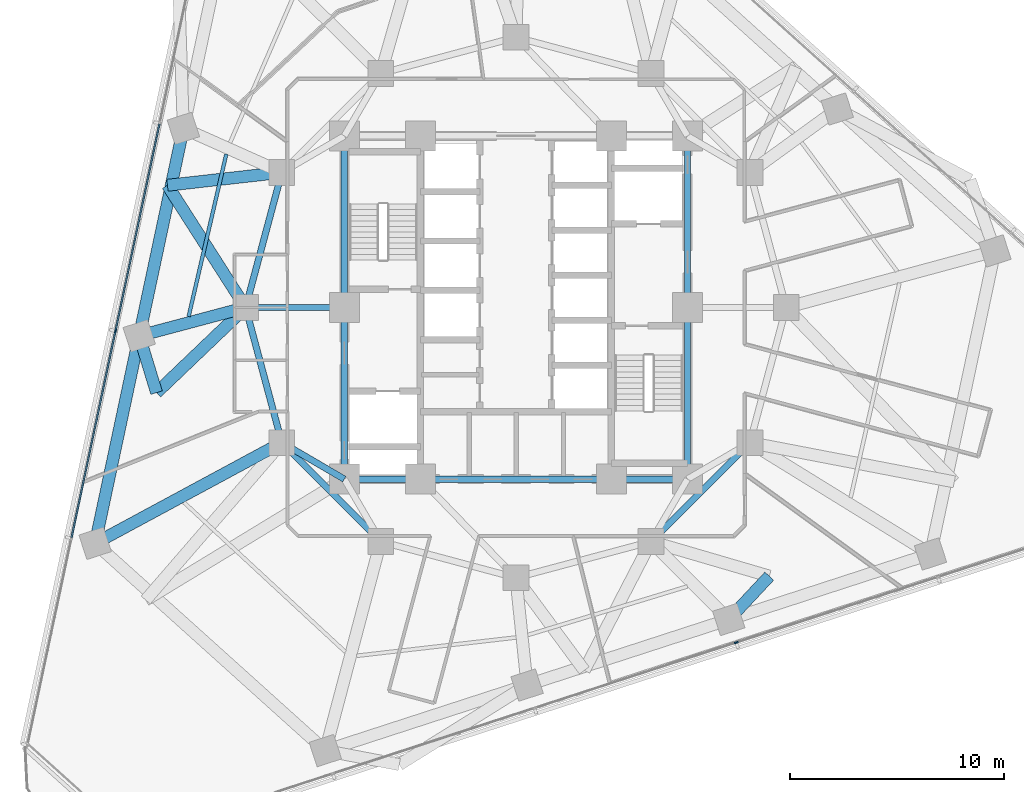
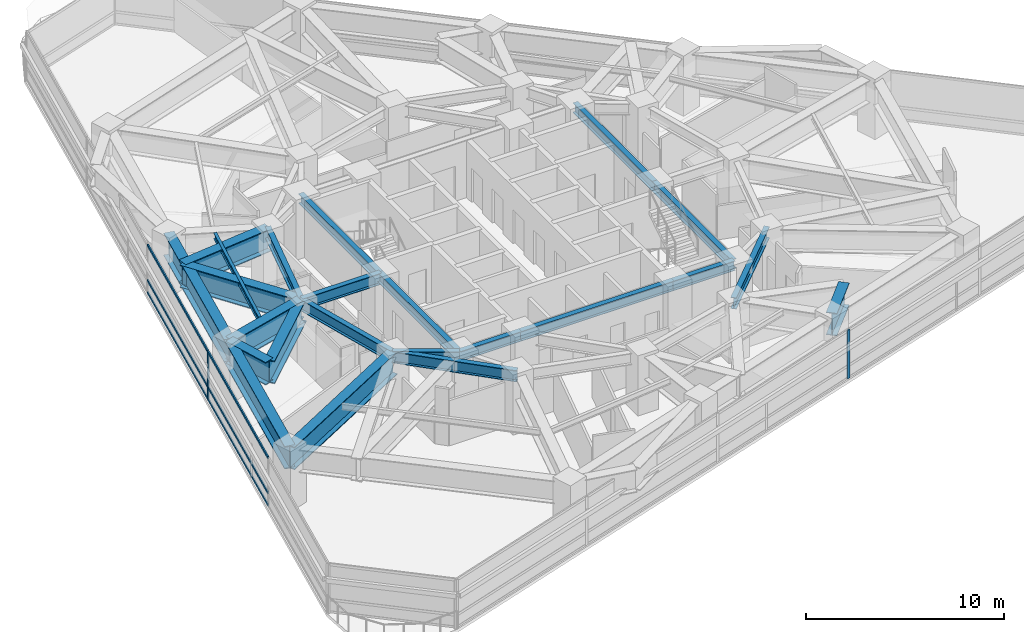
# One storey, part 3 of 14: 23 beams, 8 members, 2 elements without a shape of their own.
"""IFC4 building model written with IfcOpenShell, lengths in metres."""

from ifc_helpers import new_model, si_unit, direction, frame, origin, origin_2d, place, context, subcontext, project, spatial, rectangle, i_section, extrude, material, layer, layer_set, material_profile, profile_set, type_object, element, aggregate, save


model = new_model("IFC4")

# Units and contexts
model_context = context("Model", 3, precision=1e-05, world=origin(), true_north=direction((0.0, 1.0)))
body_context = subcontext(model_context, "Body", "Model", "MODEL_VIEW")
ifc_project = project(units=[si_unit("LENGTHUNIT", "METRE"), si_unit("AREAUNIT", "SQUARE_METRE"), si_unit("VOLUMEUNIT", "CUBIC_METRE"), si_unit("PLANEANGLEUNIT", "RADIAN"), si_unit("MASSUNIT", "GRAM", prefix="KILO")], contexts=[model_context])

# Site, building, storey
site_placement = place(None, origin())
site = spatial("IfcSite", under=ifc_project, at=site_placement, CompositionType="ELEMENT")
building_placement = place(site_placement, origin())
building = spatial("IfcBuilding", under=site, at=building_placement, Name="Terralouvre Media Tower", CompositionType="ELEMENT")
storey_placement = place(building_placement, frame((0.0, 0.0, 116.199951171875)))
storey = spatial("IfcBuildingStorey", under=building, at=storey_placement, Name="L29", CompositionType="ELEMENT", Elevation=116.199951171875)

# Beam
ifc_material_1 = material(Name="Structural steel S355J2", Category="steel")
ifc_material_profile_1 = material_profile(ifc_material_1, i_section(OverallWidth=0.169921875, OverallDepth=0.360107421875, WebThickness=0.008056640625, FlangeThickness=0.0126953125, at=origin_2d()), Name="IPE 360")
ifc_profile_set_1 = profile_set([ifc_material_profile_1], Name="Structural steel S355J2")
beam_type_1 = type_object("IfcBeamType", Name="Composite Floor Joist J-IPE360 (IPE 360)", PredefinedType="JOIST", material=ifc_profile_set_1)
beam_1_placement = place(storey_placement, frame((-13.501953125, 7.151611328125, 3.320068359375), z_axis=(-0.22584123423, -0.974164122169, 0.0), x_axis=(0.974164122169, -0.22584123423, 0.0)))
element("IfcBeam", 1, at=beam_1_placement, inside=storey, type_object=beam_type_1, Name="L29 Framing Beam JT-L29-12", PredefinedType="JOIST", context=body_context, shape_type="SweptSolid", body=[
    extrude(i_section(OverallWidth=0.169921875, OverallDepth=0.360107421875, WebThickness=0.008056640625, FlangeThickness=0.0126953125, at=origin_2d()), origin(), (0.0, 0.0, 1.0), 7.772705078125),
])

# Curtain wall, members
ifc_material_2 = material(Name="Low-iron laminated double glazing with solar-control coating", Category="glass")
ifc_layer = layer(ifc_material_2, 0.1650390625, Name="Lower Media Tower Unitised Curtain Wall CW-02")
ifc_layer_set = layer_set([ifc_layer], Name="Low-iron laminated double glazing with solar-control coating")
curtain_wall_type = type_object("IfcCurtainWallType", Name="Lower Media Tower Unitised Curtain Wall CW-02", PredefinedType="NOTDEFINED", material=ifc_layer_set)
curtain_wall_1_placement = place(storey_placement, origin())
curtain_wall_1 = element("IfcCurtainWall", 2, at=curtain_wall_1_placement, inside=storey, type_object=curtain_wall_type, Name="L29 Facade Curtain Wall F2", PredefinedType="NOTDEFINED")
ifc_material_3 = material(Name="Anodised extruded aluminium 6063-T6", Category="aluminium")
ifc_material_profile_2 = material_profile(ifc_material_3, rectangle(XDim=0.074951171875, YDim=0.14990234375, at=origin_2d()), Name="ALU 75x150")
ifc_profile_set_2 = profile_set([ifc_material_profile_2], Name="Anodised extruded aluminium 6063-T6")
member_type_1 = type_object("IfcMemberType", Name="Curtain-Wall Horizontal Transom TR-150", PredefinedType="USERDEFINED", material=ifc_profile_set_2)
member_1_placement = place(storey_placement, frame((-16.617919921875, 8.54833984375, 0.03759765625), z_axis=(-0.207914695346, -0.978146962097, 0.0), x_axis=(0.978146962097, -0.207914695346, 0.0)))
member_1 = element("IfcMember", 3, at=member_1_placement, type_object=member_type_1, Name="CW-02 transom 3.1", ObjectType="TRANSOM", PredefinedType="USERDEFINED", context=body_context, shape_type="SweptSolid", body=[
    extrude(rectangle(XDim=0.074951171875, YDim=0.14990234375, at=origin_2d()), origin(), (0.0, 0.0, 1.0), 9.81298828125),
])
member_2_placement = place(storey_placement, frame((-16.617919921875, 8.54833984375, 0.800048828125), z_axis=(-0.207914695346, -0.978146962097, 0.0), x_axis=(0.978146962097, -0.207914695346, 0.0)))
member_2 = element("IfcMember", 4, at=member_2_placement, type_object=member_type_1, Name="CW-02 transom 3.2", ObjectType="TRANSOM", PredefinedType="USERDEFINED", context=body_context, shape_type="SweptSolid", body=[
    extrude(rectangle(XDim=0.074951171875, YDim=0.14990234375, at=origin_2d()), origin(), (0.0, 0.0, 1.0), 9.81298828125),
])
member_3_placement = place(storey_placement, frame((-16.617919921875, 8.54833984375, 2.962646484375), z_axis=(-0.207914695346, -0.978146962097, 0.0), x_axis=(0.978146962097, -0.207914695346, 0.0)))
member_3 = element("IfcMember", 5, at=member_3_placement, type_object=member_type_1, Name="CW-02 transom 3.3", ObjectType="TRANSOM", PredefinedType="USERDEFINED", context=body_context, shape_type="SweptSolid", body=[
    extrude(rectangle(XDim=0.074951171875, YDim=0.14990234375, at=origin_2d()), origin(), (0.0, 0.0, 1.0), 9.81298828125),
])
member_4_placement = place(storey_placement, frame((-18.673828125, -1.12353515625, 0.03759765625), z_axis=(-0.207914695346, -0.978146962097, 0.0), x_axis=(0.978146962097, -0.207914695346, 0.0)))
member_4 = element("IfcMember", 6, at=member_4_placement, type_object=member_type_1, Name="CW-02 transom 4.1", ObjectType="TRANSOM", PredefinedType="USERDEFINED", context=body_context, shape_type="SweptSolid", body=[
    extrude(rectangle(XDim=0.074951171875, YDim=0.14990234375, at=origin_2d()), origin(), (0.0, 0.0, 1.0), 9.81298828125),
])
member_5_placement = place(storey_placement, frame((-18.673828125, -1.12353515625, 0.800048828125), z_axis=(-0.207914695346, -0.978146962097, 0.0), x_axis=(0.978146962097, -0.207914695346, 0.0)))
member_5 = element("IfcMember", 7, at=member_5_placement, type_object=member_type_1, Name="CW-02 transom 4.2", ObjectType="TRANSOM", PredefinedType="USERDEFINED", context=body_context, shape_type="SweptSolid", body=[
    extrude(rectangle(XDim=0.074951171875, YDim=0.14990234375, at=origin_2d()), origin(), (0.0, 0.0, 1.0), 9.81298828125),
])
member_6_placement = place(storey_placement, frame((-18.673828125, -1.12353515625, 2.962646484375), z_axis=(-0.207914695346, -0.978146962097, 0.0), x_axis=(0.978146962097, -0.207914695346, 0.0)))
member_6 = element("IfcMember", 8, at=member_6_placement, type_object=member_type_1, Name="CW-02 transom 4.3", ObjectType="TRANSOM", PredefinedType="USERDEFINED", context=body_context, shape_type="SweptSolid", body=[
    extrude(rectangle(XDim=0.074951171875, YDim=0.14990234375, at=origin_2d()), origin(), (0.0, 0.0, 1.0), 9.81298828125),
])

# Curtain wall, member
curtain_wall_2_placement = place(storey_placement, origin())
curtain_wall_2 = element("IfcCurtainWall", 9, at=curtain_wall_2_placement, inside=storey, type_object=curtain_wall_type, Name="L29 Facade Curtain Wall F0", PredefinedType="NOTDEFINED")
ifc_material_4 = material(Name="Anodised extruded aluminium 6063-T6", Category="aluminium")
ifc_material_profile_3 = material_profile(ifc_material_4, rectangle(XDim=0.074951171875, YDim=0.179931640625, at=origin_2d()), Name="ALU 75x180")
ifc_profile_set_3 = profile_set([ifc_material_profile_3], Name="Anodised extruded aluminium 6063-T6")
member_type_2 = type_object("IfcMemberType", Name="Curtain-Wall Vertical Mullion ML-180", PredefinedType="MULLION", material=ifc_profile_set_3)
member_7_placement = place(storey_placement, frame((10.274169921875, -15.621826171875, 0.0), z_axis=(0.0, 0.0, 1.0), x_axis=(-0.309017015439, 0.951056509451, 0.0)))
member_7 = element("IfcMember", 10, at=member_7_placement, type_object=member_type_2, Name="CW-02 mullion 4", PredefinedType="MULLION", context=body_context, shape_type="SweptSolid", body=[
    extrude(rectangle(XDim=0.074951171875, YDim=0.179931640625, at=origin_2d()), origin(), (0.0, 0.0, 1.0), 3.0),
])
aggregate(curtain_wall_2, [member_7])

# Member
member_8_placement = place(storey_placement, frame((-18.666015625, -1.0869140625, 0.0), z_axis=(0.0, 0.0, 1.0), x_axis=(0.978147610709, -0.207911643887, 0.0)))
member_8 = element("IfcMember", 11, at=member_8_placement, type_object=member_type_2, Name="CW-02 mullion 4", PredefinedType="MULLION", context=body_context, shape_type="SweptSolid", body=[
    extrude(rectangle(XDim=0.074951171875, YDim=0.179931640625, at=origin_2d()), origin(), (0.0, 0.0, 1.0), 3.0),
])

aggregate(curtain_wall_1, [member_8, member_1, member_2, member_3, member_4, member_5, member_6])

# Beams
ifc_material_5 = material(Name="Structural steel S460M", Category="steel")
ifc_material_profile_4 = material_profile(ifc_material_5, i_section(OverallWidth=0.300048828125, OverallDepth=0.60009765625, WebThickness=0.015380859375, FlangeThickness=0.030029296875, at=origin_2d()), Name="HEB 600")
ifc_profile_set_4 = profile_set([ifc_material_profile_4], Name="Structural steel S460M")
beam_type_2 = type_object("IfcBeamType", Name="Primary Floor Girder B-HEB600 (HEB 600)", PredefinedType="BEAM", material=ifc_profile_set_4)
beam_2_placement = place(storey_placement, frame((-8.0, -8.0, 3.199951171875), z_axis=(1.0, 0.0, 0.0), x_axis=(0.0, 1.0, 0.0)))
element("IfcBeam", 12, at=beam_2_placement, inside=storey, type_object=beam_type_2, Name="L29 Framing Beam BM-L29-CPR01", PredefinedType="BEAM", context=body_context, shape_type="SweptSolid", body=[
    extrude(i_section(OverallWidth=0.300048828125, OverallDepth=0.60009765625, WebThickness=0.015380859375, FlangeThickness=0.030029296875, at=origin_2d()), origin(), (0.0, 0.0, 1.0), 3.550048828125),
])
beam_3_placement = place(storey_placement, frame((-4.449951171875, -8.0, 3.199951171875), z_axis=(1.0, 0.0, 0.0), x_axis=(0.0, 1.0, 0.0)))
element("IfcBeam", 13, at=beam_3_placement, inside=storey, type_object=beam_type_2, Name="L29 Framing Beam BM-L29-CPR02", PredefinedType="BEAM", context=body_context, shape_type="SweptSolid", body=[
    extrude(i_section(OverallWidth=0.300048828125, OverallDepth=0.60009765625, WebThickness=0.015380859375, FlangeThickness=0.030029296875, at=origin_2d()), origin(), (0.0, 0.0, 1.0), 8.89990234375),
])
beam_4_placement = place(storey_placement, frame((4.449951171875, -8.0, 3.199951171875), z_axis=(1.0, 0.0, 0.0), x_axis=(0.0, 1.0, 0.0)))
element("IfcBeam", 14, at=beam_4_placement, inside=storey, type_object=beam_type_2, Name="L29 Framing Beam BM-L29-CPR03", PredefinedType="BEAM", context=body_context, shape_type="SweptSolid", body=[
    extrude(i_section(OverallWidth=0.300048828125, OverallDepth=0.60009765625, WebThickness=0.015380859375, FlangeThickness=0.030029296875, at=origin_2d()), origin(), (0.0, 0.0, 1.0), 3.550048828125),
])
for number, where, z_axis, x_axis, name in (
    (15, (8.0, -8.0, 3.199951171875), (0.0, 1.0, 0.0), (-1.0, 0.0, 0.0), "L29 Framing Beam BM-L29-CPR04"),
    (16, (8.0, 0.0, 3.199951171875), (0.0, 1.0, 0.0), (-1.0, 0.0, 0.0), "L29 Framing Beam BM-L29-CPR05"),
    (17, (-8.0, 8.0, 3.199951171875), (0.0, -1.0, 0.0), (1.0, 0.0, 0.0), "L29 Framing Beam BM-L29-CPR09"),
    (18, (-8.0, 0.0, 3.199951171875), (0.0, -1.0, 0.0), (1.0, 0.0, 0.0), "L29 Framing Beam BM-L29-CPR10"),
):
    element("IfcBeam", number, at=place(storey_placement, frame(where, z_axis=z_axis, x_axis=x_axis)), inside=storey, type_object=beam_type_2, Name=name, PredefinedType="BEAM", context=body_context, shape_type="SweptSolid", body=[
        extrude(i_section(OverallWidth=0.300048828125, OverallDepth=0.60009765625, WebThickness=0.015380859375, FlangeThickness=0.030029296875, at=origin_2d()), origin(), (0.0, 0.0, 1.0), 8.0),
    ])
ifc_material_6 = material(Name="Structural steel S460M", Category="steel")
ifc_material_profile_5 = material_profile(ifc_material_6, i_section(OverallWidth=0.300048828125, OverallDepth=0.699951171875, WebThickness=0.01708984375, FlangeThickness=0.031982421875, at=origin_2d()), Name="HEB 700")
ifc_profile_set_5 = profile_set([ifc_material_profile_5], Name="Structural steel S460M")
beam_type_3 = type_object("IfcBeamType", Name="Primary Floor Girder B-HEB700 (HEB 700)", PredefinedType="BEAM", material=ifc_profile_set_5)
for number, where, z_axis, x_axis, name in (
    (19, (-10.911865234375, -6.300048828125, 3.150146484375), (0.707106781187, -0.707106781187, 0.0), (0.707106781187, 0.707106781187, 0.0), "L29 Framing Beam BM-L29-MR01"),
    (20, (6.300048828125, -10.911865234375, 3.150146484375), (0.707106781187, 0.707106781187, 0.0), (-0.707106781187, 0.707106781187, 0.0), "L29 Framing Beam BM-L29-MR04"),
):
    element("IfcBeam", number, at=place(storey_placement, frame(where, z_axis=z_axis, x_axis=x_axis)), inside=storey, type_object=beam_type_3, Name=name, PredefinedType="BEAM", context=body_context, shape_type="SweptSolid", body=[
        extrude(i_section(OverallWidth=0.300048828125, OverallDepth=0.699951171875, WebThickness=0.01708984375, FlangeThickness=0.031982421875, at=origin_2d()), origin(), (0.0, 0.0, 1.0), 6.52197265625),
    ])
for number, where, z_axis, x_axis, name in (
    (21, (-10.911865234375, 6.300048828125, 3.150146484375), (-0.258838989821, -0.965920481897, 0.0), (0.965920481897, -0.258838989821, 0.0), "L29 Framing Beam BM-L29-MR11"),
    (22, (-12.60009765625, 0.0, 3.150146484375), (0.258838989821, -0.965920481897, 0.0), (0.965920481897, 0.258838989821, 0.0), "L29 Framing Beam BM-L29-MR12"),
):
    element("IfcBeam", number, at=place(storey_placement, frame(where, z_axis=z_axis, x_axis=x_axis)), inside=storey, type_object=beam_type_3, Name=name, PredefinedType="BEAM", context=body_context, shape_type="SweptSolid", body=[
        extrude(i_section(OverallWidth=0.300048828125, OverallDepth=0.699951171875, WebThickness=0.01708984375, FlangeThickness=0.031982421875, at=origin_2d()), origin(), (0.0, 0.0, 1.0), 6.522216796875),
    ])
beam_5_placement = place(storey_placement, frame((-8.0, -8.0, 3.150146484375), z_axis=(-0.863602894532, 0.504172629717, 0.0), x_axis=(-0.504172629717, -0.863602894532, 0.0)))
element("IfcBeam", 23, at=beam_5_placement, inside=storey, type_object=beam_type_3, Name="L29 Framing Beam BM-L29-CM01", PredefinedType="BEAM", context=body_context, shape_type="SweptSolid", body=[
    extrude(i_section(OverallWidth=0.300048828125, OverallDepth=0.699951171875, WebThickness=0.01708984375, FlangeThickness=0.031982421875, at=origin_2d()), origin(), (0.0, 0.0, 1.0), 3.371826171875),
])
beam_6_placement = place(storey_placement, frame((-8.0, 0.0, 3.150146484375), z_axis=(-1.0, 0.0, 0.0), x_axis=(0.0, -1.0, 0.0)))
element("IfcBeam", 24, at=beam_6_placement, inside=storey, type_object=beam_type_3, Name="L29 Framing Beam BM-L29-CM12", PredefinedType="BEAM", context=body_context, shape_type="SweptSolid", body=[
    extrude(i_section(OverallWidth=0.300048828125, OverallDepth=0.699951171875, WebThickness=0.01708984375, FlangeThickness=0.031982421875, at=origin_2d()), origin(), (0.0, 0.0, 1.0), 4.60009765625),
])
ifc_material_7 = material(Name="Structural steel S460M", Category="steel")
ifc_material_profile_6 = material_profile(ifc_material_7, i_section(OverallWidth=0.56005859375, OverallDepth=1.39990234375, WebThickness=0.031982421875, FlangeThickness=0.050048828125, at=origin_2d()), Name="TG 1400x560")
ifc_profile_set_6 = profile_set([ifc_material_profile_6], Name="Structural steel S460M")
beam_type_4 = type_object("IfcBeamType", Name="Welded Transfer Girder TG-1400 (TG 1400x560)", PredefinedType="USERDEFINED", material=ifc_profile_set_6)
for number, where, z_axis, x_axis, name in (
    (25, (-17.560791015625, -1.32177734375, 2.800048828125), (-0.207896554112, -0.978150818017, 0.0), (0.978150818017, -0.207896554112, 0.0), "L29 Framing Beam BM-L29-PR01"),
    (26, (-15.5048828125, 8.35009765625, 2.800048828125), (-0.207920177572, -0.97814579678, 0.0), (0.97814579678, -0.207920177572, 0.0), "L29 Framing Beam BM-L29-PR12"),
):
    element("IfcBeam", number, at=place(storey_placement, frame(where, z_axis=z_axis, x_axis=x_axis)), inside=storey, type_object=beam_type_4, Name=name, ObjectType="TRANSFER GIRDER", PredefinedType="USERDEFINED", context=body_context, shape_type="SweptSolid", body=[
        extrude(i_section(OverallWidth=0.56005859375, OverallDepth=1.39990234375, WebThickness=0.031982421875, FlangeThickness=0.050048828125, at=origin_2d()), origin(), (0.0, 0.0, 1.0), 9.887939453125),
    ])
beam_7_placement = place(storey_placement, frame((-12.60009765625, 0.0, 2.800048828125), z_axis=(-0.966287014212, -0.257467291449, 0.0), x_axis=(0.257467291449, -0.966287014212, 0.0)))
element("IfcBeam", 27, at=beam_7_placement, inside=storey, type_object=beam_type_4, Name="L29 Framing Beam BM-L29-RD01", ObjectType="TRANSFER GIRDER", PredefinedType="USERDEFINED", context=body_context, shape_type="SweptSolid", body=[
    extrude(i_section(OverallWidth=0.56005859375, OverallDepth=1.39990234375, WebThickness=0.031982421875, FlangeThickness=0.050048828125, at=origin_2d()), origin(), (0.0, 0.0, 1.0), 5.1337890625),
])
beam_8_placement = place(storey_placement, frame((-10.911865234375, -6.300048828125, 2.800048828125), z_axis=(-0.880195882447, -0.47461058619, 0.0), x_axis=(0.47461058619, -0.880195882447, 0.0)))
element("IfcBeam", 28, at=beam_8_placement, inside=storey, type_object=beam_type_4, Name="L29 Framing Beam BM-L29-RD02", ObjectType="TRANSFER GIRDER", PredefinedType="USERDEFINED", context=body_context, shape_type="SweptSolid", body=[
    extrude(i_section(OverallWidth=0.56005859375, OverallDepth=1.39990234375, WebThickness=0.031982421875, FlangeThickness=0.050048828125, at=origin_2d()), origin(), (0.0, 0.0, 1.0), 9.889404296875),
])
beam_9_placement = place(storey_placement, frame((11.813232421875, -12.523681640625, 2.800048828125), z_axis=(-0.682249100737, -0.731119801772, 0.0), x_axis=(0.731119801772, -0.682249100737, 0.0)))
element("IfcBeam", 29, at=beam_9_placement, inside=storey, type_object=beam_type_4, Name="L29 Framing Beam BM-L29-TR03S1", ObjectType="TRANSFER GIRDER", PredefinedType="USERDEFINED", context=body_context, shape_type="SweptSolid", body=[
    extrude(i_section(OverallWidth=0.56005859375, OverallDepth=1.39990234375, WebThickness=0.031982421875, FlangeThickness=0.050048828125, at=origin_2d()), origin(), (0.0, 0.0, 1.0), 2.767578125),
])
beam_10_placement = place(storey_placement, frame((-16.245849609375, 5.697998046875, 2.800048828125), z_axis=(0.993690322099, 0.112158565283, 0.0), x_axis=(-0.112158565283, 0.993690322099, 0.0)))
element("IfcBeam", 30, at=beam_10_placement, inside=storey, type_object=beam_type_4, Name="L29 Framing Beam BM-L29-TR10S1", ObjectType="TRANSFER GIRDER", PredefinedType="USERDEFINED", context=body_context, shape_type="SweptSolid", body=[
    extrude(i_section(OverallWidth=0.56005859375, OverallDepth=1.39990234375, WebThickness=0.031982421875, FlangeThickness=0.050048828125, at=origin_2d()), origin(), (0.0, 0.0, 1.0), 5.367919921875),
])
beam_11_placement = place(storey_placement, frame((-16.245849609375, 5.697998046875, 2.800048828125), z_axis=(0.538952300781, -0.84233628527, 0.0), x_axis=(0.84233628527, 0.538952300781, 0.0)))
element("IfcBeam", 31, at=beam_11_placement, inside=storey, type_object=beam_type_4, Name="L29 Framing Beam BM-L29-TR10S2", ObjectType="TRANSFER GIRDER", PredefinedType="USERDEFINED", context=body_context, shape_type="SweptSolid", body=[
    extrude(i_section(OverallWidth=0.56005859375, OverallDepth=1.39990234375, WebThickness=0.031982421875, FlangeThickness=0.050048828125, at=origin_2d()), origin(), (0.0, 0.0, 1.0), 6.764404296875),
])
beam_12_placement = place(storey_placement, frame((-16.75244140625, -3.96875, 2.800048828125), z_axis=(-0.292070619468, 0.956396755141, 0.0), x_axis=(-0.956396755141, -0.292070619468, 0.0)))
element("IfcBeam", 32, at=beam_12_placement, inside=storey, type_object=beam_type_4, Name="L29 Framing Beam BM-L29-TR11S1", ObjectType="TRANSFER GIRDER", PredefinedType="USERDEFINED", context=body_context, shape_type="SweptSolid", body=[
    extrude(i_section(OverallWidth=0.56005859375, OverallDepth=1.39990234375, WebThickness=0.031982421875, FlangeThickness=0.050048828125, at=origin_2d()), origin(), (0.0, 0.0, 1.0), 2.767578125),
])
beam_13_placement = place(storey_placement, frame((-16.75244140625, -3.96875, 2.800048828125), z_axis=(0.722907652864, 0.690944661627, 0.0), x_axis=(-0.690944661627, 0.722907652864, 0.0)))
element("IfcBeam", 33, at=beam_13_placement, inside=storey, type_object=beam_type_4, Name="L29 Framing Beam BM-L29-TR11S2", ObjectType="TRANSFER GIRDER", PredefinedType="USERDEFINED", context=body_context, shape_type="SweptSolid", body=[
    extrude(i_section(OverallWidth=0.56005859375, OverallDepth=1.39990234375, WebThickness=0.031982421875, FlangeThickness=0.050048828125, at=origin_2d()), origin(), (0.0, 0.0, 1.0), 5.743896484375),
])

save(model, "model.ifc")
